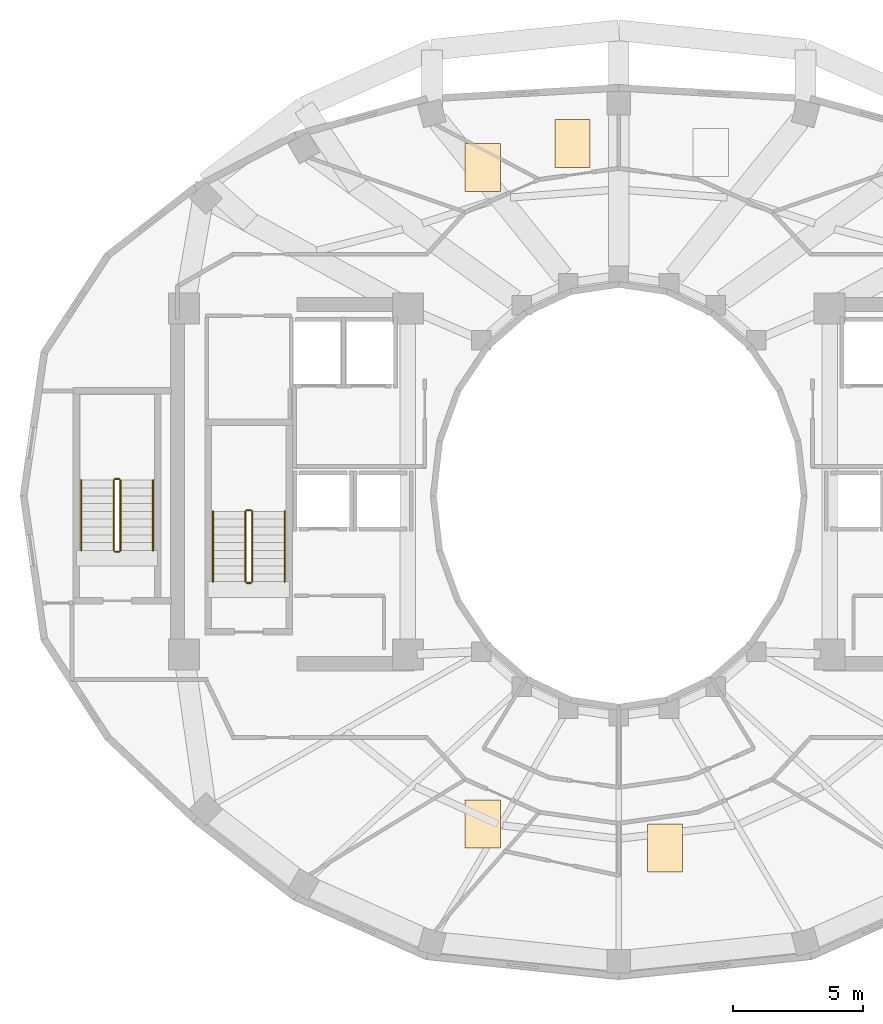
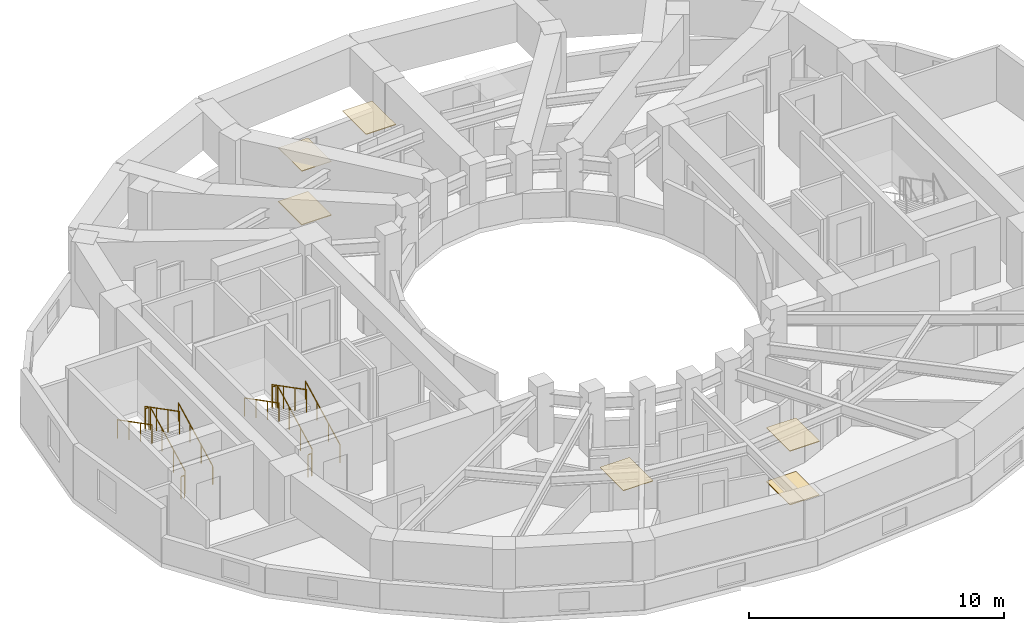
# One storey, part 8 of 9: 12 railings, 6 coverings.
"""IFC4 building model written with IfcOpenShell, lengths in metres."""

from ifc_helpers import new_model, si_unit, direction, frame, origin, origin_2d, place, context, subcontext, project, spatial, polyline, circle, outline, extrude, material, layer, layer_set, type_object, element, save


model = new_model("IFC4")

# Units and contexts
model_context = context("Model", 3, precision=1e-05, world=origin(), true_north=direction((0.0, 1.0)))
body_context = subcontext(model_context, "Body", "Model", "MODEL_VIEW")
ifc_project = project(units=[si_unit("LENGTHUNIT", "METRE"), si_unit("AREAUNIT", "SQUARE_METRE"), si_unit("VOLUMEUNIT", "CUBIC_METRE"), si_unit("PLANEANGLEUNIT", "RADIAN"), si_unit("MASSUNIT", "GRAM", prefix="KILO")], contexts=[model_context])

# Site, building, storey
site_placement = place(None, origin())
site = spatial("IfcSite", under=ifc_project, at=site_placement, CompositionType="ELEMENT")
building_placement = place(site_placement, origin())
building = spatial("IfcBuilding", under=site, at=building_placement, Name="Solvane Sanctuary Tower", CompositionType="ELEMENT")
storey_placement = place(building_placement, frame((0.0, 0.0, 177.699951171875)))
storey = spatial("IfcBuildingStorey", under=building, at=storey_placement, Name="L54", CompositionType="ELEMENT", Elevation=177.699951171875)

# Coverings
ifc_material_1 = material(Name="Acoustic Gypsum Partition Board")
ifc_layer_1 = layer(ifc_material_1, 0.02490234375, Name="Acoustic Gypsum Partition Board")
ifc_layer_set_1 = layer_set([ifc_layer_1], Name="Acoustic Gypsum Partition Board")
covering_type_1 = type_object("IfcCoveringType", Name="Covering CLG-ACOUST", PredefinedType="CEILING", material=ifc_layer_set_1)
covering_1_placement = place(storey_placement, frame((0.0, 0.0, 2.570068359375)))
element("IfcCovering", 1, at=covering_1_placement, inside=storey, type_object=covering_type_1, Name="L54 Unit Acoustic Ceiling Panel 2", PredefinedType="CEILING", context=body_context, shape_type="SweptSolid", body=[
    extrude(outline(polyline([(29.54296875, 35.60791015625), (30.89306640625, 35.60791015625), (30.89306640625, 37.4580078125), (29.54296875, 37.4580078125), (29.54296875, 35.60791015625)])), origin(), (0.0, 0.0, 1.0), 0.030029296875),
])
covering_2_placement = place(storey_placement, frame((0.0, 0.0, 2.570068359375)))
element("IfcCovering", 2, at=covering_2_placement, inside=storey, type_object=covering_type_1, Name="L54 Unit Acoustic Ceiling Panel 3", PredefinedType="CEILING", context=body_context, shape_type="SweptSolid", body=[
    extrude(outline(polyline([(26.10107421875, 34.68603515625), (27.450927734375, 34.68603515625), (27.450927734375, 36.535888671875), (26.10107421875, 36.535888671875), (26.10107421875, 34.68603515625)])), origin(), (0.0, 0.0, 1.0), 0.030029296875),
])
covering_3_placement = place(storey_placement, frame((0.0, 0.0, 2.570068359375)))
element("IfcCovering", 3, at=covering_3_placement, inside=storey, type_object=covering_type_1, Name="L54 Unit Acoustic Ceiling Panel 4", PredefinedType="CEILING", context=body_context, shape_type="SweptSolid", body=[
    extrude(outline(polyline([(26.10107421875, 9.464111328125), (27.450927734375, 9.464111328125), (27.450927734375, 11.31396484375), (26.10107421875, 11.31396484375), (26.10107421875, 9.464111328125)])), origin(), (0.0, 0.0, 1.0), 0.030029296875),
])
covering_4_placement = place(storey_placement, frame((0.0, 0.0, 2.570068359375)))
element("IfcCovering", 4, at=covering_4_placement, inside=storey, type_object=covering_type_1, Name="L54 Unit Acoustic Ceiling Panel 5", PredefinedType="CEILING", context=body_context, shape_type="SweptSolid", body=[
    extrude(outline(polyline([(33.10693359375, 8.5419921875), (34.45703125, 8.5419921875), (34.45703125, 10.39208984375), (33.10693359375, 10.39208984375), (33.10693359375, 8.5419921875)])), origin(), (0.0, 0.0, 1.0), 0.030029296875),
])
ifc_material_2 = material(Name="Ceramic Tile Finish")
ifc_layer_2 = layer(ifc_material_2, 0.030029296875, Name="Ceramic Tile Finish")
ifc_layer_set_2 = layer_set([ifc_layer_2], Name="Ceramic Tile Finish")
covering_type_2 = type_object("IfcCoveringType", Name="Covering FLR-TERRAZZO", PredefinedType="FLOORING", material=ifc_layer_set_2)
covering_5_placement = place(storey_placement, origin())
element("IfcCovering", 5, at=covering_5_placement, inside=storey, type_object=covering_type_2, Name="L54 Unit Terrazzo Inlay 3", PredefinedType="FLOORING", context=body_context, shape_type="SweptSolid", body=[
    extrude(outline(polyline([(26.10107421875, 34.68603515625), (27.450927734375, 34.68603515625), (27.450927734375, 36.535888671875), (26.10107421875, 36.535888671875), (26.10107421875, 34.68603515625)])), origin(), (0.0, 0.0, 1.0), 0.03515625),
])
covering_6_placement = place(storey_placement, origin())
element("IfcCovering", 6, at=covering_6_placement, inside=storey, type_object=covering_type_2, Name="L54 Unit Terrazzo Inlay 5", PredefinedType="FLOORING", context=body_context, shape_type="SweptSolid", body=[
    extrude(outline(polyline([(33.10693359375, 8.5419921875), (34.45703125, 8.5419921875), (34.45703125, 10.39208984375), (33.10693359375, 10.39208984375), (33.10693359375, 8.5419921875)])), origin(), (0.0, 0.0, 1.0), 0.03515625),
])

# Railings
ifc_material_3 = material(Name="Architectural Stainless Steel 316", Category="steel")
railing_type_1 = type_object("IfcRailingType", Name="Railing GR-BALC-1150", PredefinedType="BALUSTRADE", material=ifc_material_3)
railing_1_placement = place(storey_placement, frame((17.919921875, 19.699951171875, 0.155029296875)))
element("IfcRailing", 7, at=railing_1_placement, inside=storey, type_object=railing_type_1, Name="L54 ST-1 stair guard 1", PredefinedType="BALUSTRADE", context=body_context, shape_type="SweptSolid", body=[
    extrude(circle(Radius=0.02392578125, at=origin_2d()), frame((0.0, 0.0, 1.076171875), z_axis=(0.0, 0.888419900624, 0.459031676658), x_axis=(-1.0, 0.0, 0.0)), (0.0, 0.0, 1.0), 3.0390625),
    extrude(circle(Radius=0.02099609375, at=origin_2d()), origin(), (0.0, 0.0, 1.0), 1.052001953125),
    extrude(circle(Radius=0.02099609375, at=origin_2d()), frame((0.0, 0.89990234375, 0.465087890625)), (0.0, 0.0, 1.0), 1.052001953125),
    extrude(circle(Radius=0.02099609375, at=origin_2d()), frame((0.0, 1.800048828125, 0.929931640625)), (0.0, 0.0, 1.0), 1.052001953125),
    extrude(circle(Radius=0.02099609375, at=origin_2d()), frame((0.0, 2.699951171875, 1.39501953125)), (0.0, 0.0, 1.0), 1.052001953125),
])
railing_2_placement = place(storey_placement, frame((17.8701171875, 22.449951171875, 1.550048828125)))
element("IfcRailing", 8, at=railing_2_placement, inside=storey, type_object=railing_type_1, Name="L54 ST-1 stair guard 2", PredefinedType="BALUSTRADE", context=body_context, shape_type="SweptSolid", body=[
    extrude(circle(Radius=0.02392578125, at=origin_2d()), frame((0.0, 0.0, 1.076171875), z_axis=(-1.0, 0.0, 0.0), x_axis=(0.0, -1.0, 0.0)), (0.0, 0.0, 1.0), 0.16015625),
    extrude(circle(Radius=0.02099609375, at=origin_2d()), origin(), (0.0, 0.0, 1.0), 1.052001953125),
    extrude(circle(Radius=0.02099609375, at=origin_2d()), frame((-0.16015625, 0.0, 0.0)), (0.0, 0.0, 1.0), 1.052001953125),
])
railing_3_placement = place(storey_placement, frame((17.659912109375, 22.39990234375, 1.705078125)))
element("IfcRailing", 9, at=railing_3_placement, inside=storey, type_object=railing_type_1, Name="L54 ST-1 stair guard 3", PredefinedType="BALUSTRADE", context=body_context, shape_type="SweptSolid", body=[
    extrude(circle(Radius=0.02392578125, at=origin_2d()), frame((0.0, 0.0, 1.076171875), z_axis=(0.0, -0.888419900624, 0.459031676658), x_axis=(1.0, 0.0, 0.0)), (0.0, 0.0, 1.0), 3.0390625),
    extrude(circle(Radius=0.02099609375, at=origin_2d()), origin(), (0.0, 0.0, 1.0), 1.052001953125),
    extrude(circle(Radius=0.02099609375, at=origin_2d()), frame((0.0, -0.89990234375, 0.465087890625)), (0.0, 0.0, 1.0), 1.052001953125),
    extrude(circle(Radius=0.02099609375, at=origin_2d()), frame((0.0, -1.800048828125, 0.929931640625)), (0.0, 0.0, 1.0), 1.052001953125),
    extrude(circle(Radius=0.02099609375, at=origin_2d()), frame((0.0, -2.699951171875, 1.39501953125)), (0.0, 0.0, 1.0), 1.052001953125),
])
railing_4_placement = place(storey_placement, frame((17.8701171875, 19.64990234375, 0.0)))
element("IfcRailing", 10, at=railing_4_placement, inside=storey, type_object=railing_type_1, Name="L54 ST-1 stair guard 4", PredefinedType="BALUSTRADE", context=body_context, shape_type="SweptSolid", body=[
    extrude(circle(Radius=0.02392578125, at=origin_2d()), frame((0.0, 0.0, 1.076171875), z_axis=(-1.0, 0.0, 0.0), x_axis=(0.0, -1.0, 0.0)), (0.0, 0.0, 1.0), 0.16015625),
    extrude(circle(Radius=0.02099609375, at=origin_2d()), origin(), (0.0, 0.0, 1.0), 1.052001953125),
    extrude(circle(Radius=0.02099609375, at=origin_2d()), frame((-0.16015625, 0.0, 0.0)), (0.0, 0.0, 1.0), 1.052001953125),
])
railing_5_placement = place(storey_placement, frame((12.860107421875, 20.89990234375, 0.155029296875)))
element("IfcRailing", 11, at=railing_5_placement, inside=storey, type_object=railing_type_1, Name="L54 ST-3 stair guard 1", PredefinedType="BALUSTRADE", context=body_context, shape_type="SweptSolid", body=[
    extrude(circle(Radius=0.02392578125, at=origin_2d()), frame((0.0, 0.0, 1.076171875), z_axis=(0.0, 0.888436826113, 0.458998917216), x_axis=(-1.0, 0.0, 0.0)), (0.0, 0.0, 1.0), 3.039306640625),
    extrude(circle(Radius=0.02099609375, at=origin_2d()), origin(), (0.0, 0.0, 1.0), 1.052001953125),
    extrude(circle(Radius=0.02099609375, at=origin_2d()), frame((0.0, 0.900146484375, 0.465087890625)), (0.0, 0.0, 1.0), 1.052001953125),
    extrude(circle(Radius=0.02099609375, at=origin_2d()), frame((0.0, 1.800048828125, 0.929931640625)), (0.0, 0.0, 1.0), 1.052001953125),
    extrude(circle(Radius=0.02099609375, at=origin_2d()), frame((0.0, 2.7001953125, 1.39501953125)), (0.0, 0.0, 1.0), 1.052001953125),
])
railing_6_placement = place(storey_placement, frame((12.81005859375, 23.64990234375, 1.550048828125)))
element("IfcRailing", 12, at=railing_6_placement, inside=storey, type_object=railing_type_1, Name="L54 ST-3 stair guard 2", PredefinedType="BALUSTRADE", context=body_context, shape_type="SweptSolid", body=[
    extrude(circle(Radius=0.02392578125, at=origin_2d()), frame((0.0, 0.0, 1.076171875), z_axis=(-1.0, 0.0, 0.0), x_axis=(0.0, -1.0, 0.0)), (0.0, 0.0, 1.0), 0.16015625),
    extrude(circle(Radius=0.02099609375, at=origin_2d()), origin(), (0.0, 0.0, 1.0), 1.052001953125),
    extrude(circle(Radius=0.02099609375, at=origin_2d()), frame((-0.16015625, 0.0, 0.0)), (0.0, 0.0, 1.0), 1.052001953125),
])
railing_7_placement = place(storey_placement, frame((12.60009765625, 23.60009765625, 1.705078125)))
element("IfcRailing", 13, at=railing_7_placement, inside=storey, type_object=railing_type_1, Name="L54 ST-3 stair guard 3", PredefinedType="BALUSTRADE", context=body_context, shape_type="SweptSolid", body=[
    extrude(circle(Radius=0.02392578125, at=origin_2d()), frame((0.0, 0.0, 1.076171875), z_axis=(0.0, -0.888436826113, 0.458998917216), x_axis=(1.0, 0.0, 0.0)), (0.0, 0.0, 1.0), 3.039306640625),
    extrude(circle(Radius=0.02099609375, at=origin_2d()), origin(), (0.0, 0.0, 1.0), 1.052001953125),
    extrude(circle(Radius=0.02099609375, at=origin_2d()), frame((0.0, -0.900146484375, 0.465087890625)), (0.0, 0.0, 1.0), 1.052001953125),
    extrude(circle(Radius=0.02099609375, at=origin_2d()), frame((0.0, -1.800048828125, 0.929931640625)), (0.0, 0.0, 1.0), 1.052001953125),
    extrude(circle(Radius=0.02099609375, at=origin_2d()), frame((0.0, -2.7001953125, 1.39501953125)), (0.0, 0.0, 1.0), 1.052001953125),
])
railing_8_placement = place(storey_placement, frame((12.81005859375, 20.85009765625, 0.0)))
element("IfcRailing", 14, at=railing_8_placement, inside=storey, type_object=railing_type_1, Name="L54 ST-3 stair guard 4", PredefinedType="BALUSTRADE", context=body_context, shape_type="SweptSolid", body=[
    extrude(circle(Radius=0.02392578125, at=origin_2d()), frame((0.0, 0.0, 1.076171875), z_axis=(-1.0, 0.0, 0.0), x_axis=(0.0, -1.0, 0.0)), (0.0, 0.0, 1.0), 0.16015625),
    extrude(circle(Radius=0.02099609375, at=origin_2d()), origin(), (0.0, 0.0, 1.0), 1.052001953125),
    extrude(circle(Radius=0.02099609375, at=origin_2d()), frame((-0.16015625, 0.0, 0.0)), (0.0, 0.0, 1.0), 1.052001953125),
])
railing_type_2 = type_object("IfcRailingType", Name="Railing HR-STAIR-920", PredefinedType="HANDRAIL", material=ifc_material_3)
railing_9_placement = place(storey_placement, frame((19.169921875, 19.699951171875, 0.155029296875)))
element("IfcRailing", 15, at=railing_9_placement, inside=storey, type_object=railing_type_2, Name="L54 ST-1 stair handrail 1", PredefinedType="HANDRAIL", context=body_context, shape_type="SweptSolid", body=[
    extrude(circle(Radius=0.02392578125, at=origin_2d()), frame((0.0, 0.0, 0.8759765625), z_axis=(0.0, 0.888419900624, 0.459031676658), x_axis=(-1.0, 0.0, 0.0)), (0.0, 0.0, 1.0), 3.0390625),
    extrude(circle(Radius=0.02099609375, at=origin_2d()), origin(), (0.0, 0.0, 1.0), 0.851806640625),
    extrude(circle(Radius=0.02099609375, at=origin_2d()), frame((0.0, 0.89990234375, 0.465087890625)), (0.0, 0.0, 1.0), 0.851806640625),
    extrude(circle(Radius=0.02099609375, at=origin_2d()), frame((0.0, 1.800048828125, 0.929931640625)), (0.0, 0.0, 1.0), 0.851806640625),
    extrude(circle(Radius=0.02099609375, at=origin_2d()), frame((0.0, 2.699951171875, 1.39501953125)), (0.0, 0.0, 1.0), 0.851806640625),
])
railing_10_placement = place(storey_placement, frame((16.409912109375, 22.39990234375, 1.705078125)))
element("IfcRailing", 16, at=railing_10_placement, inside=storey, type_object=railing_type_2, Name="L54 ST-1 stair handrail 2", PredefinedType="HANDRAIL", context=body_context, shape_type="SweptSolid", body=[
    extrude(circle(Radius=0.02392578125, at=origin_2d()), frame((0.0, 0.0, 0.8759765625), z_axis=(0.0, -0.888419900624, 0.459031676658), x_axis=(1.0, 0.0, 0.0)), (0.0, 0.0, 1.0), 3.0390625),
    extrude(circle(Radius=0.02099609375, at=origin_2d()), origin(), (0.0, 0.0, 1.0), 0.851806640625),
    extrude(circle(Radius=0.02099609375, at=origin_2d()), frame((0.0, -0.89990234375, 0.465087890625)), (0.0, 0.0, 1.0), 0.851806640625),
    extrude(circle(Radius=0.02099609375, at=origin_2d()), frame((0.0, -1.800048828125, 0.929931640625)), (0.0, 0.0, 1.0), 0.851806640625),
    extrude(circle(Radius=0.02099609375, at=origin_2d()), frame((0.0, -2.699951171875, 1.39501953125)), (0.0, 0.0, 1.0), 0.851806640625),
])
railing_11_placement = place(storey_placement, frame((14.110107421875, 20.89990234375, 0.155029296875)))
element("IfcRailing", 17, at=railing_11_placement, inside=storey, type_object=railing_type_2, Name="L54 ST-3 stair handrail 1", PredefinedType="HANDRAIL", context=body_context, shape_type="SweptSolid", body=[
    extrude(circle(Radius=0.02392578125, at=origin_2d()), frame((0.0, 0.0, 0.8759765625), z_axis=(0.0, 0.888436826113, 0.458998917216), x_axis=(-1.0, 0.0, 0.0)), (0.0, 0.0, 1.0), 3.039306640625),
    extrude(circle(Radius=0.02099609375, at=origin_2d()), origin(), (0.0, 0.0, 1.0), 0.851806640625),
    extrude(circle(Radius=0.02099609375, at=origin_2d()), frame((0.0, 0.900146484375, 0.465087890625)), (0.0, 0.0, 1.0), 0.851806640625),
    extrude(circle(Radius=0.02099609375, at=origin_2d()), frame((0.0, 1.800048828125, 0.929931640625)), (0.0, 0.0, 1.0), 0.851806640625),
    extrude(circle(Radius=0.02099609375, at=origin_2d()), frame((0.0, 2.7001953125, 1.39501953125)), (0.0, 0.0, 1.0), 0.851806640625),
])
railing_12_placement = place(storey_placement, frame((11.35009765625, 23.60009765625, 1.705078125)))
element("IfcRailing", 18, at=railing_12_placement, inside=storey, type_object=railing_type_2, Name="L54 ST-3 stair handrail 2", PredefinedType="HANDRAIL", context=body_context, shape_type="SweptSolid", body=[
    extrude(circle(Radius=0.02392578125, at=origin_2d()), frame((0.0, 0.0, 0.8759765625), z_axis=(0.0, -0.888436826113, 0.458998917216), x_axis=(1.0, 0.0, 0.0)), (0.0, 0.0, 1.0), 3.039306640625),
    extrude(circle(Radius=0.02099609375, at=origin_2d()), origin(), (0.0, 0.0, 1.0), 0.851806640625),
    extrude(circle(Radius=0.02099609375, at=origin_2d()), frame((0.0, -0.900146484375, 0.465087890625)), (0.0, 0.0, 1.0), 0.851806640625),
    extrude(circle(Radius=0.02099609375, at=origin_2d()), frame((0.0, -1.800048828125, 0.929931640625)), (0.0, 0.0, 1.0), 0.851806640625),
    extrude(circle(Radius=0.02099609375, at=origin_2d()), frame((0.0, -2.7001953125, 1.39501953125)), (0.0, 0.0, 1.0), 0.851806640625),
])

save(model, "model.ifc")
